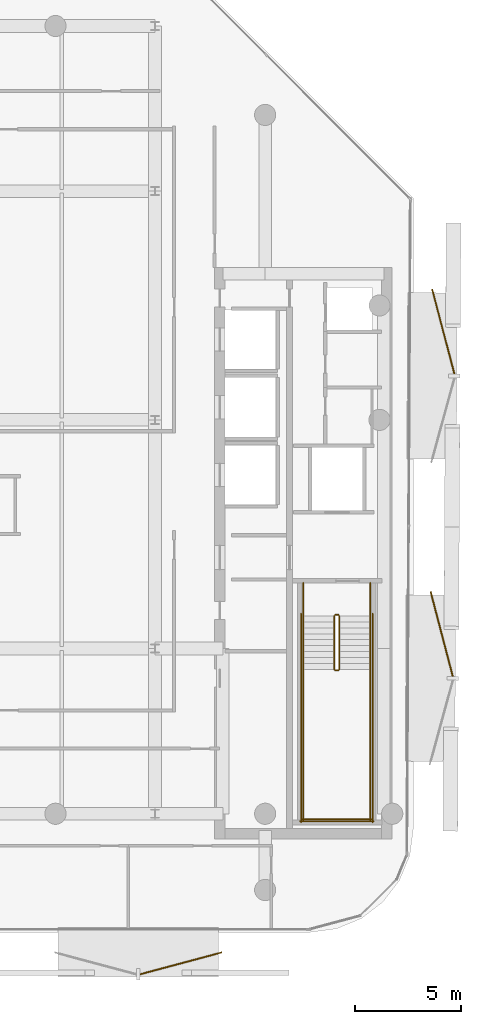
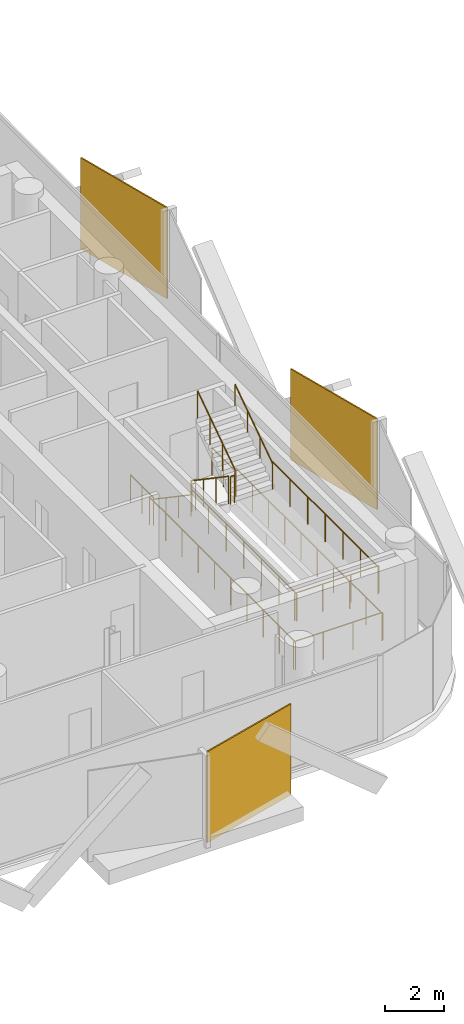
# One storey, part 15 of 16: 14 railings, 3 coverings.
"""IFC4 building model written with IfcOpenShell, lengths in metres."""

from ifc_helpers import new_model, si_unit, direction, frame, origin, origin_2d, place, context, subcontext, project, spatial, rectangle, circle, extrude, material, layer, layer_set, type_object, element, save


model = new_model("IFC4")

# Units and contexts
model_context = context("Model", 3, precision=1e-05, world=origin(), true_north=direction((0.0, 1.0)))
body_context = subcontext(model_context, "Body", "Model", "MODEL_VIEW")
ifc_project = project(units=[si_unit("LENGTHUNIT", "METRE"), si_unit("AREAUNIT", "SQUARE_METRE"), si_unit("VOLUMEUNIT", "CUBIC_METRE"), si_unit("PLANEANGLEUNIT", "RADIAN"), si_unit("MASSUNIT", "GRAM", prefix="KILO")], contexts=[model_context])

# Site, building, storey
site_placement = place(None, origin())
site = spatial("IfcSite", under=ifc_project, at=site_placement, CompositionType="ELEMENT")
building_placement = place(site_placement, origin())
building = spatial("IfcBuilding", under=site, at=building_placement, Name="Khairoan Windgate Tower", CompositionType="ELEMENT")
storey_placement = place(building_placement, frame((0.0, 0.0, 300.39990234375)))
storey = spatial("IfcBuildingStorey", under=building, at=storey_placement, Name="L72", CompositionType="ELEMENT", Elevation=300.39990234375)

# Coverings
ifc_material_1 = material(Name="Anodised Bronze Aluminium 6063-T6", Category="aluminium")
ifc_layer = layer(ifc_material_1, 0.054931640625, Name="Anodised Bronze Aluminium 6063-T6")
ifc_layer_set = layer_set([ifc_layer], Name="Anodised Bronze Aluminium 6063-T6")
covering_type = type_object("IfcCoveringType", Name="Perforated Bronze-Ceramic Folded Solar Screen Cladding BSC-1", PredefinedType="CLADDING", material=ifc_layer_set)
covering_placement = place(storey_placement, frame((10.425537109375, -25.663330078125, -0.10009765625), z_axis=(0.0, 0.0, 1.0), x_axis=(-0.965925826289, -0.258819045103, 0.0)))
element("IfcCovering", 1, at=covering_placement, inside=storey, type_object=covering_type, Name="L72 Folded Bronze Solar Screen Facet 502L", PredefinedType="CLADDING", context=body_context, shape_type="SweptSolid", body=[
    extrude(rectangle(XDim=3.991943359375, YDim=0.054931640625, at=origin_2d()), origin(), (0.0, 0.0, 1.0), 3.739990234375),
])
for number, where, z_axis, x_axis, name in (
    (2, (22.811279296875, 4.164794921875, -0.10009765625), (0.0, 0.0, 1.0), (0.253757944585, -0.967267752776, 0.0), "L72 Folded Bronze Solar Screen Facet 508L"),
    (3, (22.73583984375, -10.1123046875, -0.10009765625), (0.0, 0.0, 1.0), (0.253757944585, -0.967267752776, 0.0), "L72 Folded Bronze Solar Screen Facet 509L"),
):
    element("IfcCovering", number, at=place(storey_placement, frame(where, z_axis=z_axis, x_axis=x_axis)), inside=storey, type_object=covering_type, Name=name, PredefinedType="CLADDING", context=body_context, shape_type="SweptSolid", body=[
        extrude(rectangle(XDim=4.139892578125, YDim=0.054931640625, at=origin_2d()), origin(), (0.0, 0.0, 1.0), 3.739990234375),
    ])

# Railings
ifc_material_2 = material(Name="Anodised Bronze Aluminium 6063-T6", Category="aluminium")
railing_type_1 = type_object("IfcRailingType", Name="Stair Wall Handrail SHR-900", PredefinedType="HANDRAIL", material=ifc_material_2)
railing_1_placement = place(storey_placement, frame((16.199951171875, -9.260009765625, 0.190185546875)))
element("IfcRailing", 4, at=railing_1_placement, inside=storey, type_object=railing_type_1, Name="L72 ST1 stair handrail 1", PredefinedType="HANDRAIL", context=body_context, shape_type="SweptSolid", body=[
    extrude(circle(Radius=0.02392578125, at=origin_2d()), frame((0.0, 0.0, 0.8759765625), z_axis=(0.0, -0.827483756001, 0.561489655786), x_axis=(1.0, 0.0, 0.0)), (0.0, 0.0, 1.0), 3.04541015625),
    extrude(circle(Radius=0.02099609375, at=origin_2d()), origin(), (0.0, 0.0, 1.0), 0.851806640625),
    extrude(circle(Radius=0.02099609375, at=origin_2d()), frame((0.0, -0.840087890625, 0.570068359375)), (0.0, 0.0, 1.0), 0.851806640625),
    extrude(circle(Radius=0.02099609375, at=origin_2d()), frame((0.0, -1.679931640625, 1.139892578125)), (0.0, 0.0, 1.0), 0.851806640625),
    extrude(circle(Radius=0.02099609375, at=origin_2d()), frame((0.0, -2.52001953125, 1.7099609375)), (0.0, 0.0, 1.0), 0.851806640625),
])
railing_2_placement = place(storey_placement, frame((19.3701171875, -11.780029296875, 2.090087890625)))
element("IfcRailing", 5, at=railing_2_placement, inside=storey, type_object=railing_type_1, Name="L72 ST1 stair handrail 2", PredefinedType="HANDRAIL", context=body_context, shape_type="SweptSolid", body=[
    extrude(circle(Radius=0.02392578125, at=origin_2d()), frame((0.0, 0.0, 0.8759765625), z_axis=(0.0, 0.827483756001, 0.561489655786), x_axis=(-1.0, 0.0, 0.0)), (0.0, 0.0, 1.0), 3.04541015625),
    extrude(circle(Radius=0.02099609375, at=origin_2d()), origin(), (0.0, 0.0, 1.0), 0.851806640625),
    extrude(circle(Radius=0.02099609375, at=origin_2d()), frame((0.0, 0.840087890625, 0.570068359375)), (0.0, 0.0, 1.0), 0.851806640625),
    extrude(circle(Radius=0.02099609375, at=origin_2d()), frame((0.0, 1.679931640625, 1.139892578125)), (0.0, 0.0, 1.0), 0.851806640625),
    extrude(circle(Radius=0.02099609375, at=origin_2d()), frame((0.0, 2.52001953125, 1.7099609375)), (0.0, 0.0, 1.0), 0.851806640625),
])
ifc_material_3 = material(Name="Steel S355", Category="steel")
railing_type_2 = type_object("IfcRailingType", Name="Stairwell Safety Guardrail SGR-1150", PredefinedType="GUARDRAIL", material=ifc_material_3)
railing_3_placement = place(storey_placement, frame((17.659912109375, -9.260009765625, 0.190185546875)))
element("IfcRailing", 6, at=railing_3_placement, inside=storey, type_object=railing_type_2, Name="L72 ST1 stair guard 1", PredefinedType="GUARDRAIL", context=body_context, shape_type="SweptSolid", body=[
    extrude(circle(Radius=0.02392578125, at=origin_2d()), frame((0.0, 0.0, 1.1259765625), z_axis=(0.0, -0.827483756001, 0.561489655786), x_axis=(1.0, 0.0, 0.0)), (0.0, 0.0, 1.0), 3.04541015625),
    extrude(circle(Radius=0.02099609375, at=origin_2d()), origin(), (0.0, 0.0, 1.0), 1.101806640625),
    extrude(circle(Radius=0.02099609375, at=origin_2d()), frame((0.0, -0.840087890625, 0.570068359375)), (0.0, 0.0, 1.0), 1.101806640625),
    extrude(circle(Radius=0.02099609375, at=origin_2d()), frame((0.0, -1.679931640625, 1.139892578125)), (0.0, 0.0, 1.0), 1.101806640625),
    extrude(circle(Radius=0.02099609375, at=origin_2d()), frame((0.0, -2.52001953125, 1.7099609375)), (0.0, 0.0, 1.0), 1.101806640625),
])
railing_4_placement = place(storey_placement, frame((17.7099609375, -11.830078125, 1.900146484375)))
element("IfcRailing", 7, at=railing_4_placement, inside=storey, type_object=railing_type_2, Name="L72 ST1 stair guard 2", PredefinedType="GUARDRAIL", context=body_context, shape_type="SweptSolid", body=[
    extrude(circle(Radius=0.02392578125, at=origin_2d()), frame((0.0, 0.0, 1.1259765625), z_axis=(1.0, 0.0, 0.0), x_axis=(0.0, 1.0, 0.0)), (0.0, 0.0, 1.0), 0.150146484375),
    extrude(circle(Radius=0.02099609375, at=origin_2d()), origin(), (0.0, 0.0, 1.0), 1.101806640625),
    extrude(circle(Radius=0.02099609375, at=origin_2d()), frame((0.150146484375, 0.0, 0.0)), (0.0, 0.0, 1.0), 1.101806640625),
])
for number, where, name in (
    (8, (16.199951171875, -11.780029296875, 1.900146484375), "L72 ST1 stair guard 3"),
    (9, (19.3701171875, -11.780029296875, 1.900146484375), "L72 ST1 stair guard 4"),
):
    element("IfcRailing", number, at=place(storey_placement, frame(where)), inside=storey, type_object=railing_type_2, Name=name, PredefinedType="GUARDRAIL", context=body_context, shape_type="SweptSolid", body=[
        extrude(circle(Radius=0.02392578125, at=origin_2d()), frame((0.0, 0.0, 1.1259765625), z_axis=(0.0, -1.0, 0.0), x_axis=(1.0, 0.0, 0.0)), (0.0, 0.0, 1.0), 7.119873046875),
        extrude(circle(Radius=0.02099609375, at=origin_2d()), origin(), (0.0, 0.0, 1.0), 1.101806640625),
        extrude(circle(Radius=0.02099609375, at=origin_2d()), frame((0.0, -1.1865234375, 0.0)), (0.0, 0.0, 1.0), 1.101806640625),
        extrude(circle(Radius=0.02099609375, at=origin_2d()), frame((0.0, -2.373291015625, 0.0)), (0.0, 0.0, 1.0), 1.101806640625),
        extrude(circle(Radius=0.02099609375, at=origin_2d()), frame((0.0, -3.56005859375, 0.0)), (0.0, 0.0, 1.0), 1.101806640625),
        extrude(circle(Radius=0.02099609375, at=origin_2d()), frame((0.0, -4.74658203125, 0.0)), (0.0, 0.0, 1.0), 1.101806640625),
        extrude(circle(Radius=0.02099609375, at=origin_2d()), frame((0.0, -5.93310546875, 0.0)), (0.0, 0.0, 1.0), 1.101806640625),
        extrude(circle(Radius=0.02099609375, at=origin_2d()), frame((0.0, -7.119873046875, 0.0)), (0.0, 0.0, 1.0), 1.101806640625),
    ])
railing_5_placement = place(storey_placement, frame((16.14990234375, -18.85009765625, 1.900146484375)))
element("IfcRailing", 10, at=railing_5_placement, inside=storey, type_object=railing_type_2, Name="L72 ST1 stair guard 5", PredefinedType="GUARDRAIL", context=body_context, shape_type="SweptSolid", body=[
    extrude(circle(Radius=0.02392578125, at=origin_2d()), frame((0.0, 0.0, 1.1259765625), z_axis=(1.0, 0.0, 0.0), x_axis=(0.0, 1.0, 0.0)), (0.0, 0.0, 1.0), 3.27001953125),
    extrude(circle(Radius=0.02099609375, at=origin_2d()), origin(), (0.0, 0.0, 1.0), 1.101806640625),
    extrude(circle(Radius=0.02099609375, at=origin_2d()), frame((1.090087890625, 0.0, 0.0)), (0.0, 0.0, 1.0), 1.101806640625),
    extrude(circle(Radius=0.02099609375, at=origin_2d()), frame((2.179931640625, 0.0, 0.0)), (0.0, 0.0, 1.0), 1.101806640625),
    extrude(circle(Radius=0.02099609375, at=origin_2d()), frame((3.27001953125, 0.0, 0.0)), (0.0, 0.0, 1.0), 1.101806640625),
])
railing_6_placement = place(storey_placement, frame((17.909912109375, -11.780029296875, 2.090087890625)))
element("IfcRailing", 11, at=railing_6_placement, inside=storey, type_object=railing_type_2, Name="L72 ST1 stair guard 6", PredefinedType="GUARDRAIL", context=body_context, shape_type="SweptSolid", body=[
    extrude(circle(Radius=0.02392578125, at=origin_2d()), frame((0.0, 0.0, 1.1259765625), z_axis=(0.0, 0.827483756001, 0.561489655786), x_axis=(-1.0, 0.0, 0.0)), (0.0, 0.0, 1.0), 3.04541015625),
    extrude(circle(Radius=0.02099609375, at=origin_2d()), origin(), (0.0, 0.0, 1.0), 1.101806640625),
    extrude(circle(Radius=0.02099609375, at=origin_2d()), frame((0.0, 0.840087890625, 0.570068359375)), (0.0, 0.0, 1.0), 1.101806640625),
    extrude(circle(Radius=0.02099609375, at=origin_2d()), frame((0.0, 1.679931640625, 1.139892578125)), (0.0, 0.0, 1.0), 1.101806640625),
    extrude(circle(Radius=0.02099609375, at=origin_2d()), frame((0.0, 2.52001953125, 1.7099609375)), (0.0, 0.0, 1.0), 1.101806640625),
])
railing_7_placement = place(storey_placement, frame((17.7099609375, -9.2099609375, 0.0)))
element("IfcRailing", 12, at=railing_7_placement, inside=storey, type_object=railing_type_2, Name="L72 ST1 stair guard 7", PredefinedType="GUARDRAIL", context=body_context, shape_type="SweptSolid", body=[
    extrude(circle(Radius=0.02392578125, at=origin_2d()), frame((0.0, 0.0, 1.1259765625), z_axis=(1.0, 0.0, 0.0), x_axis=(0.0, 1.0, 0.0)), (0.0, 0.0, 1.0), 0.150146484375),
    extrude(circle(Radius=0.02099609375, at=origin_2d()), origin(), (0.0, 0.0, 1.0), 1.101806640625),
    extrude(circle(Radius=0.02099609375, at=origin_2d()), frame((0.150146484375, 0.0, 0.0)), (0.0, 0.0, 1.0), 1.101806640625),
])
for number, where, name in (
    (13, (16.199951171875, -7.699951171875, 0.0), "L72 ST1 stair guard 8"),
    (14, (19.3701171875, -7.699951171875, 0.0), "L72 ST1 stair guard 9"),
):
    element("IfcRailing", number, at=place(storey_placement, frame(where)), inside=storey, type_object=railing_type_2, Name=name, PredefinedType="GUARDRAIL", context=body_context, shape_type="SweptSolid", body=[
        extrude(circle(Radius=0.02392578125, at=origin_2d()), frame((0.0, 0.0, 1.1259765625), z_axis=(0.0, -1.0, 0.0), x_axis=(1.0, 0.0, 0.0)), (0.0, 0.0, 1.0), 1.56005859375),
        extrude(circle(Radius=0.02099609375, at=origin_2d()), origin(), (0.0, 0.0, 1.0), 1.101806640625),
        extrude(circle(Radius=0.02099609375, at=origin_2d()), frame((0.0, -0.780029296875, 0.0)), (0.0, 0.0, 1.0), 1.101806640625),
        extrude(circle(Radius=0.02099609375, at=origin_2d()), frame((0.0, -1.56005859375, 0.0)), (0.0, 0.0, 1.0), 1.101806640625),
    ])
for number, where, name in (
    (15, (16.10009765625, -9.159912109375, 0.0), "L72 ST1 stair guard 10"),
    (16, (19.469970703125, -9.159912109375, 0.0), "L72 ST1 stair guard 11"),
):
    element("IfcRailing", number, at=place(storey_placement, frame(where)), inside=storey, type_object=railing_type_2, Name=name, PredefinedType="GUARDRAIL", context=body_context, shape_type="SweptSolid", body=[
        extrude(circle(Radius=0.02392578125, at=origin_2d()), frame((0.0, 0.0, 1.1259765625), z_axis=(0.0, -1.0, 0.0), x_axis=(1.0, 0.0, 0.0)), (0.0, 0.0, 1.0), 9.840087890625),
        extrude(circle(Radius=0.02099609375, at=origin_2d()), origin(), (0.0, 0.0, 1.0), 1.101806640625),
        extrude(circle(Radius=0.02099609375, at=origin_2d()), frame((0.0, -1.09326171875, 0.0)), (0.0, 0.0, 1.0), 1.101806640625),
        extrude(circle(Radius=0.02099609375, at=origin_2d()), frame((0.0, -2.186767578125, 0.0)), (0.0, 0.0, 1.0), 1.101806640625),
        extrude(circle(Radius=0.02099609375, at=origin_2d()), frame((0.0, -3.280029296875, 0.0)), (0.0, 0.0, 1.0), 1.101806640625),
        extrude(circle(Radius=0.02099609375, at=origin_2d()), frame((0.0, -4.373291015625, 0.0)), (0.0, 0.0, 1.0), 1.101806640625),
        extrude(circle(Radius=0.02099609375, at=origin_2d()), frame((0.0, -5.466796875, 0.0)), (0.0, 0.0, 1.0), 1.101806640625),
        extrude(circle(Radius=0.02099609375, at=origin_2d()), frame((0.0, -6.56005859375, 0.0)), (0.0, 0.0, 1.0), 1.101806640625),
        extrude(circle(Radius=0.02099609375, at=origin_2d()), frame((0.0, -7.6533203125, 0.0)), (0.0, 0.0, 1.0), 1.101806640625),
        extrude(circle(Radius=0.02099609375, at=origin_2d()), frame((0.0, -8.746826171875, 0.0)), (0.0, 0.0, 1.0), 1.101806640625),
        extrude(circle(Radius=0.02099609375, at=origin_2d()), frame((0.0, -9.840087890625, 0.0)), (0.0, 0.0, 1.0), 1.101806640625),
    ])
railing_8_placement = place(storey_placement, frame((16.050048828125, -18.949951171875, 0.0)))
element("IfcRailing", 17, at=railing_8_placement, inside=storey, type_object=railing_type_2, Name="L72 ST1 stair guard 12", PredefinedType="GUARDRAIL", context=body_context, shape_type="SweptSolid", body=[
    extrude(circle(Radius=0.02392578125, at=origin_2d()), frame((0.0, 0.0, 1.1259765625), z_axis=(1.0, 0.0, 0.0), x_axis=(0.0, 1.0, 0.0)), (0.0, 0.0, 1.0), 3.469970703125),
    extrude(circle(Radius=0.02099609375, at=origin_2d()), origin(), (0.0, 0.0, 1.0), 1.101806640625),
    extrude(circle(Radius=0.02099609375, at=origin_2d()), frame((1.15673828125, 0.0, 0.0)), (0.0, 0.0, 1.0), 1.101806640625),
    extrude(circle(Radius=0.02099609375, at=origin_2d()), frame((2.313232421875, 0.0, 0.0)), (0.0, 0.0, 1.0), 1.101806640625),
    extrude(circle(Radius=0.02099609375, at=origin_2d()), frame((3.469970703125, 0.0, 0.0)), (0.0, 0.0, 1.0), 1.101806640625),
])

save(model, "model.ifc")
